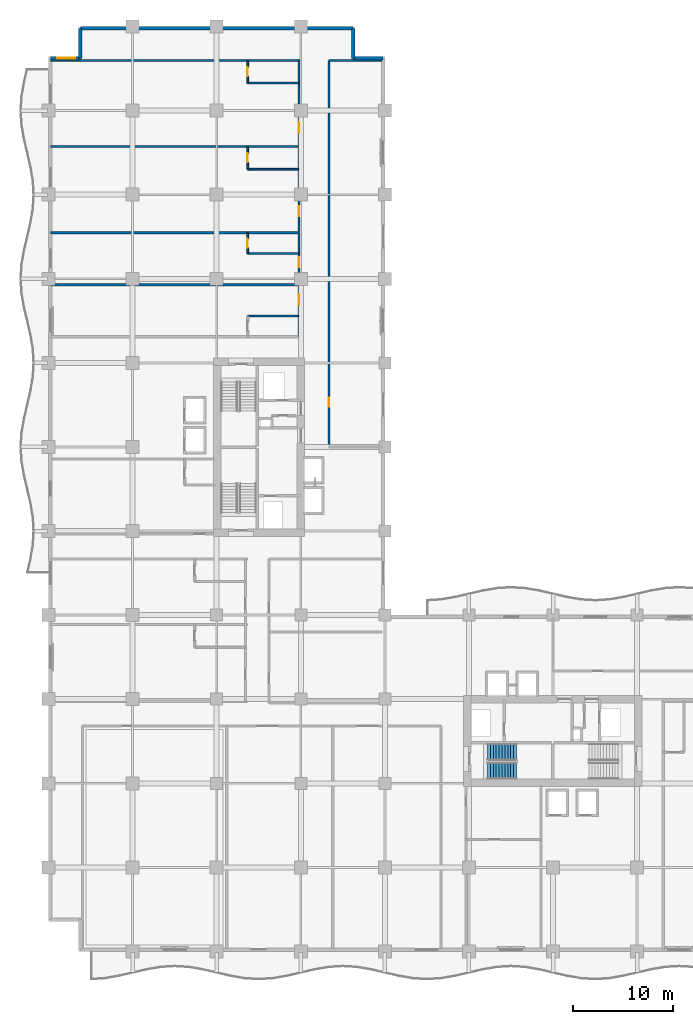
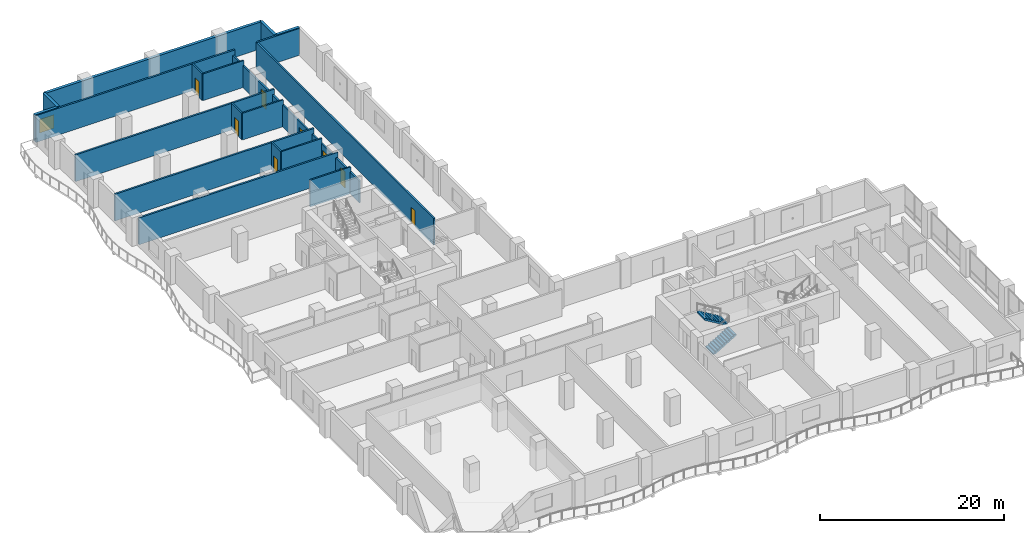
# One storey, part 16 of 24: 19 walls, 8 doors, 2 stair flights, 1 window, 9 openings, 1 element without a shape of its own.
"""IFC4 building model written with IfcOpenShell, lengths in metres."""

from ifc_helpers import new_model, si_unit, direction, frame, frame_2d, origin, place, context, subcontext, project, spatial, polyline, rectangle, outline, extrude, material, layer, layer_set, type_object, element, fill, aggregate, save


model = new_model("IFC4")

# Units and contexts
model_context = context("Model", 3, precision=1e-05, world=origin(), true_north=direction((0.0, 1.0)))
body_context = subcontext(model_context, "Body", "Model", "MODEL_VIEW")
ifc_project = project(units=[si_unit("LENGTHUNIT", "METRE"), si_unit("AREAUNIT", "SQUARE_METRE"), si_unit("VOLUMEUNIT", "CUBIC_METRE"), si_unit("PLANEANGLEUNIT", "RADIAN"), si_unit("MASSUNIT", "GRAM", prefix="KILO")], contexts=[model_context])

# Site, building, storey
site_placement = place(None, origin())
site = spatial("IfcSite", under=ifc_project, at=site_placement, CompositionType="ELEMENT")
building_placement = place(site_placement, origin())
building = spatial("IfcBuilding", under=site, at=building_placement, Name="Koriwani Terraces Tower", CompositionType="ELEMENT")
storey_placement = place(building_placement, frame((0.0, 0.0, 149.39990234375)))
storey = spatial("IfcBuildingStorey", under=building, at=storey_placement, Name="L36", CompositionType="ELEMENT", Elevation=149.39990234375)

# Wall, openings, doors
ifc_material_1 = material(Name="Autoclaved Cellular Concrete Blockwork", Category="masonry")
ifc_layer_1 = layer(ifc_material_1, 0.199951171875, Name="Autoclaved Cellular Concrete Blockwork")
ifc_layer_set_1 = layer_set([ifc_layer_1], Name="Autoclaved Cellular Concrete Blockwork")
wall_type_1 = type_object("IfcWallType", Name="WALL_CORRIDOR_200", PredefinedType="PARTITIONING", material=ifc_layer_set_1)
wall_1_placement = place(storey_placement, frame((25.0, 61.39990234375, 0.0), z_axis=(0.0, 0.0, 1.0), x_axis=(0.0, 1.0, 0.0)))
wall_1 = element("IfcWall", 1, at=wall_1_placement, inside=storey, type_object=wall_type_1, Name="L36 Interior Wall WCOR-L36-NE-0", PredefinedType="PARTITIONING", context=body_context, shape_type="SweptSolid", body=[
    extrude(rectangle(XDim=27.60009765625, YDim=0.199951171875, at=frame_2d((13.800048828125, 0.0))), origin(), (0.0, 0.0, 1.0), 2.900146484375),
])
opening_1_placement = place(wall_1_placement, frame((3.179931640625, 0.0, 0.0)))
opening_1 = element("IfcOpeningElement", 2, at=opening_1_placement, cuts=wall_1, Name="Opening D-05", PredefinedType="OPENING", context=body_context, shape_type="SweptSolid", body=[
    extrude(rectangle(XDim=1.0, YDim=2.14990234375, at=frame_2d((0.5, 1.074951171875))), frame((0.0, 0.10986328125, 0.0), z_axis=(0.0, -1.0, 0.0), x_axis=(1.0, 0.0, 0.0)), (0.0, 0.0, 1.0), 0.219970703125),
])
opening_2_placement = place(wall_1_placement, frame((6.969970703125, 0.0, 0.0)))
opening_2 = element("IfcOpeningElement", 3, at=opening_2_placement, cuts=wall_1, Name="Opening D-05", PredefinedType="OPENING", context=body_context, shape_type="SweptSolid", body=[
    extrude(rectangle(XDim=1.0, YDim=2.14990234375, at=frame_2d((0.5, 1.074951171875))), frame((0.0, 0.10986328125, 0.0), z_axis=(0.0, -1.0, 0.0), x_axis=(1.0, 0.0, 0.0)), (0.0, 0.0, 1.0), 0.219970703125),
])
opening_3_placement = place(wall_1_placement, frame((12.034912109375, 0.0, 0.0)))
opening_3 = element("IfcOpeningElement", 4, at=opening_3_placement, cuts=wall_1, Name="Opening D-05", PredefinedType="OPENING", context=body_context, shape_type="SweptSolid", body=[
    extrude(rectangle(XDim=1.0, YDim=2.14990234375, at=frame_2d((0.5, 1.074951171875))), frame((0.0, 0.10986328125, 0.0), z_axis=(0.0, -1.0, 0.0), x_axis=(1.0, 0.0, 0.0)), (0.0, 0.0, 1.0), 0.219970703125),
])
opening_4_placement = place(wall_1_placement, frame((20.385009765625, 0.0, 0.0)))
opening_4 = element("IfcOpeningElement", 5, at=opening_4_placement, cuts=wall_1, Name="Opening D-05", PredefinedType="OPENING", context=body_context, shape_type="SweptSolid", body=[
    extrude(rectangle(XDim=1.0, YDim=2.14990234375, at=frame_2d((0.5, 1.074951171875))), frame((0.0, 0.10986328125, 0.0), z_axis=(0.0, -1.0, 0.0), x_axis=(1.0, 0.0, 0.0)), (0.0, 0.0, 1.0), 0.219970703125),
])
ifc_material_2 = material(Name="Architectural Oak Fire Door", Category="wood")
door_type_1 = type_object("IfcDoorType", Name="DOOR_SUITE_ENTRY_1000X2150", OperationType="NOTDEFINED", PredefinedType="DOOR", material=ifc_material_2)
door_1_placement = place(opening_1_placement, origin())
door_1 = element("IfcDoor", 6, at=door_1_placement, inside=storey, type_object=door_type_1, Name="Luxury Hotel Suite 36NE1 Entrance Door", OperationType="SINGLE_SWING_LEFT", OverallHeight=2.14990234375, OverallWidth=1.0, PredefinedType="DOOR", context=body_context, shape_type="SweptSolid", body=[
    extrude(rectangle(XDim=1.0, YDim=2.14990234375, at=frame_2d((0.5, 1.074951171875))), frame((0.0, 0.02490234375, 0.0), z_axis=(0.0, -1.0, 0.0), x_axis=(1.0, 0.0, 0.0)), (0.0, 0.0, 1.0), 0.050048828125),
])
fill(opening_1, door_1)
door_2_placement = place(opening_2_placement, origin())
door_2 = element("IfcDoor", 7, at=door_2_placement, inside=storey, type_object=door_type_1, Name="Luxury Hotel Suite 36NE2 Entrance Door", OperationType="SINGLE_SWING_LEFT", OverallHeight=2.14990234375, OverallWidth=1.0, PredefinedType="DOOR", context=body_context, shape_type="SweptSolid", body=[
    extrude(rectangle(XDim=1.0, YDim=2.14990234375, at=frame_2d((0.5, 1.074951171875))), frame((0.0, 0.02490234375, 0.0), z_axis=(0.0, -1.0, 0.0), x_axis=(1.0, 0.0, 0.0)), (0.0, 0.0, 1.0), 0.050048828125),
])
fill(opening_2, door_2)
door_3_placement = place(opening_3_placement, origin())
door_3 = element("IfcDoor", 8, at=door_3_placement, inside=storey, type_object=door_type_1, Name="Luxury Hotel Suite 36NE3 Entrance Door", OperationType="SINGLE_SWING_LEFT", OverallHeight=2.14990234375, OverallWidth=1.0, PredefinedType="DOOR", context=body_context, shape_type="SweptSolid", body=[
    extrude(rectangle(XDim=1.0, YDim=2.14990234375, at=frame_2d((0.5, 1.074951171875))), frame((0.0, 0.02490234375, 0.0), z_axis=(0.0, -1.0, 0.0), x_axis=(1.0, 0.0, 0.0)), (0.0, 0.0, 1.0), 0.050048828125),
])
fill(opening_3, door_3)
door_4_placement = place(opening_4_placement, origin())
door_4 = element("IfcDoor", 9, at=door_4_placement, inside=storey, type_object=door_type_1, Name="Luxury Hotel Suite 36NE4 Entrance Door", OperationType="SINGLE_SWING_LEFT", OverallHeight=2.14990234375, OverallWidth=1.0, PredefinedType="DOOR", context=body_context, shape_type="SweptSolid", body=[
    extrude(rectangle(XDim=1.0, YDim=2.14990234375, at=frame_2d((0.5, 1.074951171875))), frame((0.0, 0.02490234375, 0.0), z_axis=(0.0, -1.0, 0.0), x_axis=(1.0, 0.0, 0.0)), (0.0, 0.0, 1.0), 0.050048828125),
])
fill(opening_4, door_4)

# Wall, opening, door
wall_2_placement = place(storey_placement, frame((28.0, 50.39990234375, 0.0), z_axis=(0.0, 0.0, 1.0), x_axis=(0.0, 1.0, 0.0)))
wall_2 = element("IfcWall", 10, at=wall_2_placement, inside=storey, type_object=wall_type_1, Name="L36 Interior Wall WNEC-W-L36", PredefinedType="PARTITIONING", context=body_context, shape_type="SweptSolid", body=[
    extrude(rectangle(XDim=38.60009765625, YDim=0.199951171875, at=frame_2d((19.300048828125, 0.0))), origin(), (0.0, 0.0, 1.0), 3.550048828125),
])
opening_5_placement = place(wall_2_placement, frame((4.0, 0.0, 0.0)))
opening_5 = element("IfcOpeningElement", 11, at=opening_5_placement, cuts=wall_2, Name="Opening D-06", PredefinedType="OPENING", context=body_context, shape_type="SweptSolid", body=[
    extrude(rectangle(XDim=0.919921875, YDim=2.10009765625, at=frame_2d((0.4599609375, 1.050048828125))), frame((0.0, 0.10986328125, 0.0), z_axis=(0.0, -1.0, 0.0), x_axis=(1.0, 0.0, 0.0)), (0.0, 0.0, 1.0), 0.219970703125),
])
door_type_2 = type_object("IfcDoorType", Name="DOOR_ROOM_INT_920X2100", OperationType="NOTDEFINED", PredefinedType="DOOR", material=ifc_material_2)
door_5_placement = place(opening_5_placement, origin())
door_5 = element("IfcDoor", 12, at=door_5_placement, inside=storey, type_object=door_type_2, Name="L36 North Court Study Door", OperationType="SINGLE_SWING_LEFT", OverallHeight=2.10009765625, OverallWidth=0.919921875, PredefinedType="DOOR", context=body_context, shape_type="SweptSolid", body=[
    extrude(rectangle(XDim=0.919921875, YDim=2.10009765625, at=frame_2d((0.4599609375, 1.050048828125))), frame((0.0, 0.02490234375, 0.0), z_axis=(0.0, -1.0, 0.0), x_axis=(1.0, 0.0, 0.0)), (0.0, 0.0, 1.0), 0.050048828125),
])
fill(opening_5, door_5)

# Walls
ifc_layer_2 = layer(ifc_material_1, 0.219970703125, Name="Autoclaved Cellular Concrete Blockwork")
ifc_layer_set_2 = layer_set([ifc_layer_2], Name="Autoclaved Cellular Concrete Blockwork")
wall_type_2 = type_object("IfcWallType", Name="WALL_DEMISING_220", PredefinedType="PARTITIONING", material=ifc_layer_set_2)
for number, where, z_axis, x_axis, name in (
    (13, (0.199951171875, 66.60009765625, 0.0), (0.0, 0.0, 1.0), (1.0, 0.0, 0.0), "L36 Interior Wall WDEM-L36-NE-1"),
    (14, (0.199951171875, 71.800048828125, 0.0), (0.0, 0.0, 1.0), (1.0, 0.0, 0.0), "L36 Interior Wall WDEM-L36-NE-2"),
    (15, (0.199951171875, 80.39990234375, 0.0), (0.0, 0.0, 1.0), (1.0, 0.0, 0.0), "L36 Interior Wall WDEM-L36-NE-3"),
    (16, (0.199951171875, 89.0, 0.0), (0.0, 0.0, 1.0), (1.0, 0.0, 0.0), "L36 Interior Wall WDEME-L36-NE"),
):
    element("IfcWall", number, at=place(storey_placement, frame(where, z_axis=z_axis, x_axis=x_axis)), inside=storey, type_object=wall_type_2, Name=name, PredefinedType="PARTITIONING", context=body_context, shape_type="SweptSolid", body=[
        extrude(rectangle(XDim=24.97998046875, YDim=0.219970703125, at=frame_2d((12.489990234375, 0.0))), origin(), (0.0, 0.0, 1.0), 3.550048828125),
    ])
wall_3_placement = place(storey_placement, frame((28.0, 89.0, 0.0), z_axis=(0.0, 0.0, 1.0), x_axis=(1.0, 0.0, 0.0)))
element("IfcWall", 17, at=wall_3_placement, inside=storey, type_object=wall_type_2, Name="L36 Interior Wall WNEC-N-L36", PredefinedType="PARTITIONING", context=body_context, shape_type="SweptSolid", body=[
    extrude(rectangle(XDim=5.300048828125, YDim=0.219970703125, at=frame_2d((2.64990234375, 0.0))), origin(), (0.0, 0.0, 1.0), 3.550048828125),
])

# Wall, opening, window
ifc_material_3 = material(Name="Concrete C50/60", Category="concrete")
ifc_layer_3 = layer(ifc_material_3, 0.35009765625, Name="Concrete C50/60")
ifc_layer_set_3 = layer_set([ifc_layer_3], Name="Concrete C50/60")
wall_type_3 = type_object("IfcWallType", Name="WALL_EXT_BRUTALIST_350", PredefinedType="STANDARD", material=ifc_layer_set_3)
wall_4_placement = place(storey_placement, frame((0.175048828125, 89.22509765625, 0.0), z_axis=(0.0, 0.0, 1.0), x_axis=(1.0, 0.0, 0.0)))
wall_4 = element("IfcWall", 18, at=wall_4_placement, inside=storey, type_object=wall_type_3, Name="L36 Fair-Faced Brutalist Exterior Wall (N3)", PredefinedType="STANDARD", context=body_context, shape_type="SweptSolid", body=[
    extrude(rectangle(XDim=3.0, YDim=0.35009765625, at=frame_2d((1.5, 0.0))), origin(), (0.0, 0.0, 1.0), 3.550048828125),
])
opening_6_placement = place(wall_4_placement, frame((0.677490234375, 0.0, 0.85009765625)))
opening_6 = element("IfcOpeningElement", 19, at=opening_6_placement, cuts=wall_4, Name="Opening W-04", PredefinedType="OPENING", context=body_context, shape_type="SweptSolid", body=[
    extrude(rectangle(XDim=1.800048828125, YDim=1.800048828125, at=frame_2d((0.89990234375, 0.89990234375))), frame((0.0, 0.18505859375, 0.0), z_axis=(0.0, -1.0, 0.0), x_axis=(1.0, 0.0, 0.0)), (0.0, 0.0, 1.0), 0.3701171875),
])
ifc_material_4 = material(Name="Tempered Laminated Low-E Glass", Category="glass")
window_type = type_object("IfcWindowType", Name="WIN_RES_BED_1800X1800", PartitioningType="DOUBLE_PANEL_VERTICAL", PredefinedType="WINDOW", material=ifc_material_4)
window_placement = place(opening_6_placement, origin())
window = element("IfcWindow", 20, at=window_placement, inside=storey, type_object=window_type, Name="L36 Exterior Window (N3-R44)", OverallHeight=1.800048828125, OverallWidth=1.800048828125, PartitioningType="SINGLE_PANEL", PredefinedType="WINDOW", context=body_context, shape_type="SweptSolid", body=[
    extrude(rectangle(XDim=1.800048828125, YDim=1.800048828125, at=frame_2d((0.89990234375, 0.89990234375))), frame((0.0, 0.030029296875, 0.0), z_axis=(0.0, -1.0, 0.0), x_axis=(1.0, 0.0, 0.0)), (0.0, 0.0, 1.0), 0.06005859375),
])
fill(opening_6, window)

# Walls
wall_5_placement = place(storey_placement, frame((3.175048828125, 89.22509765625, 0.0), z_axis=(0.0, 0.0, 1.0), x_axis=(0.0, 1.0, 0.0)))
element("IfcWall", 21, at=wall_5_placement, inside=storey, type_object=wall_type_3, Name="L36 Fair-Faced Brutalist Exterior Wall (N4)", PredefinedType="STANDARD", context=body_context, shape_type="SweptSolid", body=[
    extrude(rectangle(XDim=3.0, YDim=0.35009765625, at=frame_2d((1.5, 0.0))), origin(), (0.0, 0.0, 1.0), 3.550048828125),
])
wall_6_placement = place(storey_placement, frame((3.175048828125, 92.22509765625, 0.0), z_axis=(0.0, 0.0, 1.0), x_axis=(1.0, 0.0, 0.0)))
element("IfcWall", 22, at=wall_6_placement, inside=storey, type_object=wall_type_3, Name="L36 Fair-Faced Brutalist Exterior Wall (N_TIP)", PredefinedType="STANDARD", context=body_context, shape_type="SweptSolid", body=[
    extrude(rectangle(XDim=27.25, YDim=0.35009765625, at=frame_2d((13.625, 0.0))), origin(), (0.0, 0.0, 1.0), 3.550048828125),
])
for number, where, z_axis, x_axis, name in (
    (23, (30.425048828125, 92.22509765625, 0.0), (0.0, 0.0, 1.0), (0.0, -1.0, 0.0), "L36 Fair-Faced Brutalist Exterior Wall (N6)"),
    (24, (30.425048828125, 89.22509765625, 0.0), (0.0, 0.0, 1.0), (1.0, 0.0, 0.0), "L36 Fair-Faced Brutalist Exterior Wall (N7)"),
):
    element("IfcWall", number, at=place(storey_placement, frame(where, z_axis=z_axis, x_axis=x_axis)), inside=storey, type_object=wall_type_3, Name=name, PredefinedType="STANDARD", context=body_context, shape_type="SweptSolid", body=[
        extrude(rectangle(XDim=3.0, YDim=0.35009765625, at=frame_2d((1.5, 0.0))), origin(), (0.0, 0.0, 1.0), 3.550048828125),
    ])
ifc_material_5 = material(Name="Fire-Rated Acoustic Gypsum Partition", Category="masonry")
ifc_layer_4 = layer(ifc_material_5, 0.179931640625, Name="Fire-Rated Acoustic Gypsum Partition")
ifc_layer_set_4 = layer_set([ifc_layer_4], Name="Fire-Rated Acoustic Gypsum Partition")
wall_type_4 = type_object("IfcWallType", Name="WALL_PLUMBING_180", PredefinedType="PLUMBINGWALL", material=ifc_layer_set_4)
wall_7_placement = place(storey_placement, frame((19.89990234375, 63.47998046875, 0.0), z_axis=(0.0, 0.0, 1.0), x_axis=(1.0, 0.0, 0.0)))
element("IfcWall", 25, at=wall_7_placement, inside=storey, type_object=wall_type_4, Name="L36 Interior Wall WBTH2-L36-NE-0", PredefinedType="PLUMBINGWALL", context=body_context, shape_type="SweptSolid", body=[
    extrude(rectangle(XDim=5.10009765625, YDim=0.179931640625, at=frame_2d((2.550048828125, 0.0))), origin(), (0.0, 0.0, 1.0), 3.550048828125),
])

# Wall, opening, door
wall_8_placement = place(storey_placement, frame((19.89990234375, 69.719970703125, 0.0), z_axis=(0.0, 0.0, 1.0), x_axis=(0.0, 1.0, 0.0)))
wall_8 = element("IfcWall", 26, at=wall_8_placement, inside=storey, type_object=wall_type_4, Name="L36 Interior Wall WBTH1-L36-NE-1", PredefinedType="PLUMBINGWALL", context=body_context, shape_type="SweptSolid", body=[
    extrude(rectangle(XDim=2.080078125, YDim=0.179931640625, at=frame_2d((1.0400390625, 0.0))), origin(), (0.0, 0.0, 1.0), 3.550048828125),
])
opening_7_placement = place(wall_8_placement, frame((0.590087890625, 0.0, 0.0)))
opening_7 = element("IfcOpeningElement", 27, at=opening_7_placement, cuts=wall_8, Name="Opening D-07", PredefinedType="OPENING", context=body_context, shape_type="SweptSolid", body=[
    extrude(rectangle(XDim=0.89990234375, YDim=2.10009765625, at=frame_2d((0.449951171875, 1.050048828125))), frame((0.0, 0.10009765625, 0.0), z_axis=(0.0, -1.0, 0.0), x_axis=(1.0, 0.0, 0.0)), (0.0, 0.0, 1.0), 0.199951171875),
])
door_type_3 = type_object("IfcDoorType", Name="DOOR_BATH_INT_900X2100", OperationType="NOTDEFINED", PredefinedType="DOOR", material=ifc_material_2)
door_6_placement = place(opening_7_placement, origin())
door_6 = element("IfcDoor", 28, at=door_6_placement, inside=storey, type_object=door_type_3, Name="En-Suite Bathroom 36NE2 Door", OperationType="SINGLE_SWING_RIGHT", OverallHeight=2.10009765625, OverallWidth=0.89990234375, PredefinedType="DOOR", context=body_context, shape_type="SweptSolid", body=[
    extrude(rectangle(XDim=0.89990234375, YDim=2.10009765625, at=frame_2d((0.449951171875, 1.050048828125))), frame((0.0, 0.02490234375, 0.0), z_axis=(0.0, -1.0, 0.0), x_axis=(1.0, 0.0, 0.0)), (0.0, 0.0, 1.0), 0.050048828125),
])
fill(opening_7, door_6)

# Wall
wall_9_placement = place(storey_placement, frame((19.89990234375, 69.719970703125, 0.0), z_axis=(0.0, 0.0, 1.0), x_axis=(1.0, 0.0, 0.0)))
element("IfcWall", 29, at=wall_9_placement, inside=storey, type_object=wall_type_4, Name="L36 Interior Wall WBTH2-L36-NE-1", PredefinedType="PLUMBINGWALL", context=body_context, shape_type="SweptSolid", body=[
    extrude(rectangle(XDim=5.10009765625, YDim=0.179931640625, at=frame_2d((2.550048828125, 0.0))), origin(), (0.0, 0.0, 1.0), 3.550048828125),
])

# Wall, opening, door
wall_10_placement = place(storey_placement, frame((19.89990234375, 78.14990234375, 0.0), z_axis=(0.0, 0.0, 1.0), x_axis=(0.0, 1.0, 0.0)))
wall_10 = element("IfcWall", 30, at=wall_10_placement, inside=storey, type_object=wall_type_4, Name="L36 Interior Wall WBTH1-L36-NE-2", PredefinedType="PLUMBINGWALL", context=body_context, shape_type="SweptSolid", body=[
    extrude(rectangle(XDim=2.25, YDim=0.179931640625, at=frame_2d((1.125, 0.0))), origin(), (0.0, 0.0, 1.0), 3.550048828125),
])
opening_8_placement = place(wall_10_placement, frame((0.675048828125, 0.0, 0.0)))
opening_8 = element("IfcOpeningElement", 31, at=opening_8_placement, cuts=wall_10, Name="Opening D-07", PredefinedType="OPENING", context=body_context, shape_type="SweptSolid", body=[
    extrude(rectangle(XDim=0.89990234375, YDim=2.10009765625, at=frame_2d((0.449951171875, 1.050048828125))), frame((0.0, 0.10009765625, 0.0), z_axis=(0.0, -1.0, 0.0), x_axis=(1.0, 0.0, 0.0)), (0.0, 0.0, 1.0), 0.199951171875),
])
door_7_placement = place(opening_8_placement, origin())
door_7 = element("IfcDoor", 32, at=door_7_placement, inside=storey, type_object=door_type_3, Name="En-Suite Bathroom 36NE3 Door", OperationType="SINGLE_SWING_RIGHT", OverallHeight=2.10009765625, OverallWidth=0.89990234375, PredefinedType="DOOR", context=body_context, shape_type="SweptSolid", body=[
    extrude(rectangle(XDim=0.89990234375, YDim=2.10009765625, at=frame_2d((0.449951171875, 1.050048828125))), frame((0.0, 0.02490234375, 0.0), z_axis=(0.0, -1.0, 0.0), x_axis=(1.0, 0.0, 0.0)), (0.0, 0.0, 1.0), 0.050048828125),
])
fill(opening_8, door_7)

# Wall
wall_11_placement = place(storey_placement, frame((19.89990234375, 78.14990234375, 0.0), z_axis=(0.0, 0.0, 1.0), x_axis=(1.0, 0.0, 0.0)))
element("IfcWall", 33, at=wall_11_placement, inside=storey, type_object=wall_type_4, Name="L36 Interior Wall WBTH2-L36-NE-2", PredefinedType="PLUMBINGWALL", context=body_context, shape_type="SweptSolid", body=[
    extrude(rectangle(XDim=5.10009765625, YDim=0.179931640625, at=frame_2d((2.550048828125, 0.0))), origin(), (0.0, 0.0, 1.0), 3.550048828125),
])

# Wall, opening, door
wall_12_placement = place(storey_placement, frame((19.89990234375, 86.75, 0.0), z_axis=(0.0, 0.0, 1.0), x_axis=(0.0, 1.0, 0.0)))
wall_12 = element("IfcWall", 34, at=wall_12_placement, inside=storey, type_object=wall_type_4, Name="L36 Interior Wall WBTH1-L36-NE-3", PredefinedType="PLUMBINGWALL", context=body_context, shape_type="SweptSolid", body=[
    extrude(rectangle(XDim=2.25, YDim=0.179931640625, at=frame_2d((1.125, 0.0))), origin(), (0.0, 0.0, 1.0), 3.550048828125),
])
opening_9_placement = place(wall_12_placement, frame((0.675048828125, 0.0, 0.0)))
opening_9 = element("IfcOpeningElement", 35, at=opening_9_placement, cuts=wall_12, Name="Opening D-07", PredefinedType="OPENING", context=body_context, shape_type="SweptSolid", body=[
    extrude(rectangle(XDim=0.89990234375, YDim=2.10009765625, at=frame_2d((0.449951171875, 1.050048828125))), frame((0.0, 0.10009765625, 0.0), z_axis=(0.0, -1.0, 0.0), x_axis=(1.0, 0.0, 0.0)), (0.0, 0.0, 1.0), 0.199951171875),
])
door_8_placement = place(opening_9_placement, origin())
door_8 = element("IfcDoor", 36, at=door_8_placement, inside=storey, type_object=door_type_3, Name="En-Suite Bathroom 36NE4 Door", OperationType="SINGLE_SWING_RIGHT", OverallHeight=2.10009765625, OverallWidth=0.89990234375, PredefinedType="DOOR", context=body_context, shape_type="SweptSolid", body=[
    extrude(rectangle(XDim=0.89990234375, YDim=2.10009765625, at=frame_2d((0.449951171875, 1.050048828125))), frame((0.0, 0.02490234375, 0.0), z_axis=(0.0, -1.0, 0.0), x_axis=(1.0, 0.0, 0.0)), (0.0, 0.0, 1.0), 0.050048828125),
])
fill(opening_9, door_8)

# Wall
wall_13_placement = place(storey_placement, frame((19.89990234375, 86.75, 0.0), z_axis=(0.0, 0.0, 1.0), x_axis=(1.0, 0.0, 0.0)))
element("IfcWall", 37, at=wall_13_placement, inside=storey, type_object=wall_type_4, Name="L36 Interior Wall WBTH2-L36-NE-3", PredefinedType="PLUMBINGWALL", context=body_context, shape_type="SweptSolid", body=[
    extrude(rectangle(XDim=5.10009765625, YDim=0.179931640625, at=frame_2d((2.550048828125, 0.0))), origin(), (0.0, 0.0, 1.0), 3.550048828125),
])

# Stair, stair flights
ifc_material_6 = material(Name="Concrete C40/50", Category="concrete")
stair_type = type_object("IfcStairType", Name="STAIR_CORE_DOGLEG_1650", PredefinedType="TWO_STRAIGHT_RUN_STAIR", material=ifc_material_6)
stair_placement = place(storey_placement, origin())
stair = element("IfcStair", 38, at=stair_placement, inside=storey, type_object=stair_type, Name="L36 East Core Exit Stair 1", PredefinedType="HALF_TURN_STAIR")
stair_flight_type = type_object("IfcStairFlightType", Name="STAIR_FLIGHT_RC_1650", PredefinedType="STRAIGHT", material=ifc_material_6)
stair_flight_1_placement = place(storey_placement, frame((43.85009765625, 18.074951171875, 0.0), z_axis=(0.0, 0.0, 1.0), x_axis=(1.0, 0.0, 0.0)))
stair_flight_1 = element("IfcStairFlight", 39, at=stair_flight_1_placement, type_object=stair_flight_type, Name="ST-E1 flight 1", NumberOfRisers=11, NumberOfTreads=10, PredefinedType="STRAIGHT", RiserHeight=0.172727273, TreadLength=0.29, context=body_context, shape_type="SweptSolid", body=[
    extrude(outline(polyline([(0.0, 0.0), (0.0, 0.172607421875), (0.2900390625, 0.172607421875), (0.2900390625, 0.345458984375), (0.580078125, 0.345458984375), (0.580078125, 0.51806640625), (0.8701171875, 0.51806640625), (0.8701171875, 0.69091796875), (1.159912109375, 0.69091796875), (1.159912109375, 0.863525390625), (1.449951171875, 0.863525390625), (1.449951171875, 1.036376953125), (1.739990234375, 1.036376953125), (1.739990234375, 1.208984375), (2.030029296875, 1.208984375), (2.030029296875, 1.3818359375), (2.320068359375, 1.3818359375), (2.320068359375, 1.554443359375), (2.610107421875, 1.554443359375), (2.610107421875, 1.727294921875), (2.89990234375, 1.727294921875), (2.89990234375, 1.89990234375), (2.89990234375, 1.517822265625), (0.3515625, 0.0), (0.0, 0.0)])), frame((0.0, 0.824951171875, 0.0), z_axis=(0.0, -1.0, 0.0), x_axis=(1.0, 0.0, 0.0)), (0.0, 0.0, 1.0), 1.64990234375),
])
stair_flight_2_placement = place(storey_placement, frame((46.75, 19.925048828125, 1.900146484375), z_axis=(0.0, 0.0, 1.0), x_axis=(-1.0, 0.0, 0.0)))
stair_flight_2 = element("IfcStairFlight", 40, at=stair_flight_2_placement, type_object=stair_flight_type, Name="ST-E1 flight 2", NumberOfRisers=11, NumberOfTreads=10, PredefinedType="STRAIGHT", RiserHeight=0.172727273, TreadLength=0.29, context=body_context, shape_type="SweptSolid", body=[
    extrude(outline(polyline([(0.0, 0.0), (0.0, 0.172607421875), (0.2900390625, 0.172607421875), (0.2900390625, 0.345458984375), (0.580078125, 0.345458984375), (0.580078125, 0.51806640625), (0.8701171875, 0.51806640625), (0.8701171875, 0.69091796875), (1.159912109375, 0.69091796875), (1.159912109375, 0.863525390625), (1.449951171875, 0.863525390625), (1.449951171875, 1.036376953125), (1.739990234375, 1.036376953125), (1.739990234375, 1.208984375), (2.030029296875, 1.208984375), (2.030029296875, 1.3818359375), (2.320068359375, 1.3818359375), (2.320068359375, 1.554443359375), (2.610107421875, 1.554443359375), (2.610107421875, 1.727294921875), (2.89990234375, 1.727294921875), (2.89990234375, 1.89990234375), (2.89990234375, 1.517822265625), (0.3515625, 0.0), (0.0, 0.0)])), frame((0.0, 0.824951171875, 0.0), z_axis=(0.0, -1.0, 0.0), x_axis=(1.0, 0.0, 0.0)), (0.0, 0.0, 1.0), 1.64990234375),
])
aggregate(stair, [stair_flight_1, stair_flight_2])

save(model, "model.ifc")
